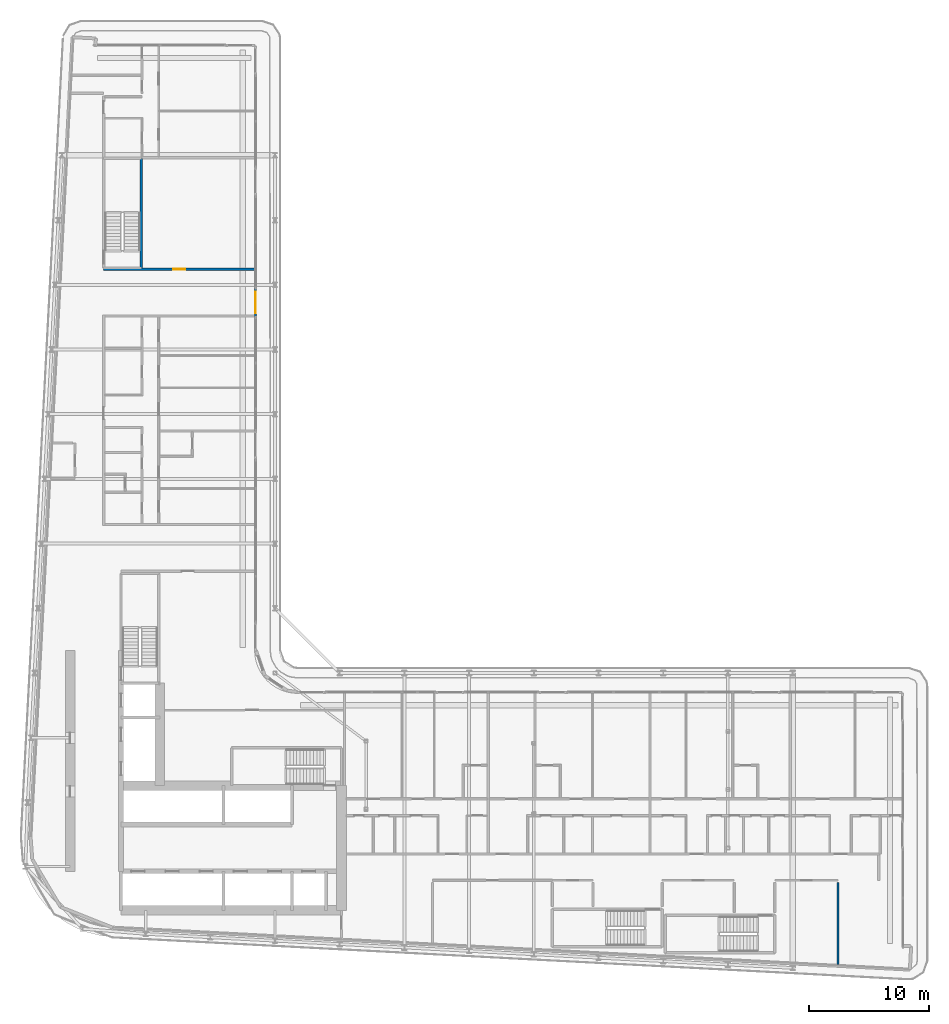
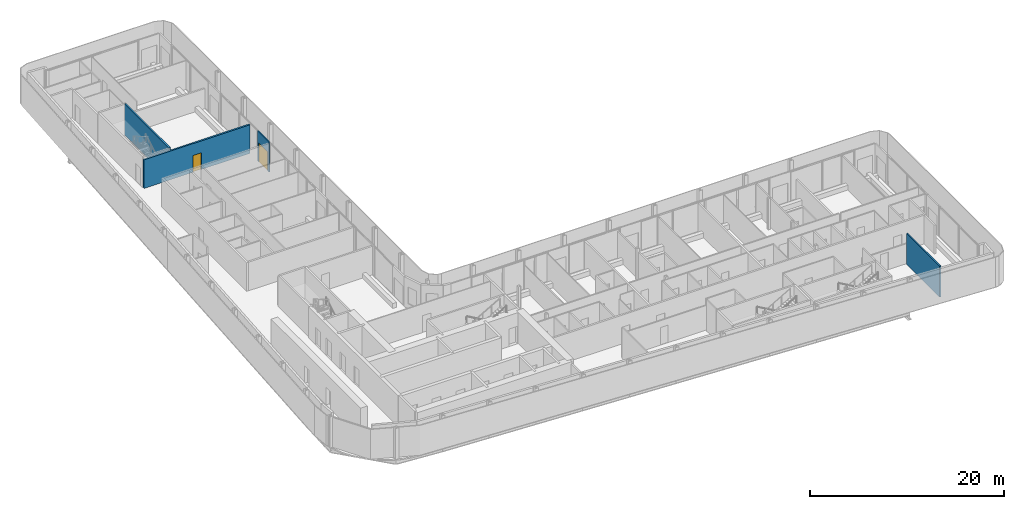
# One storey, part 19 of 29: 4 walls, 2 doors, 2 openings.
"""IFC4 building model written with IfcOpenShell, lengths in metres."""

from ifc_helpers import new_model, si_unit, direction, frame, frame_2d, origin, place, context, subcontext, project, spatial, rectangle, extrude, source, transform, mapped, material, layer, layer_set, type_object, element, fill, save


model = new_model("IFC4")

# Units and contexts
model_context = context("Model", 3, precision=1e-05, world=origin(), true_north=direction((0.0, 1.0)))
body_context = subcontext(model_context, "Body", "Model", "MODEL_VIEW")
ifc_project = project(units=[si_unit("LENGTHUNIT", "METRE"), si_unit("AREAUNIT", "SQUARE_METRE"), si_unit("VOLUMEUNIT", "CUBIC_METRE"), si_unit("PLANEANGLEUNIT", "RADIAN"), si_unit("MASSUNIT", "GRAM", prefix="KILO")], contexts=[model_context])

# Site, building, storey
site_placement = place(None, origin())
site = spatial("IfcSite", under=ifc_project, at=site_placement, CompositionType="ELEMENT")
building_placement = place(site_placement, origin())
building = spatial("IfcBuilding", under=site, at=building_placement, Name="Kheshtan School and Residences Tower", CompositionType="ELEMENT")
storey_placement = place(building_placement, frame((0.0, 0.0, 183.800048828125)))
storey = spatial("IfcBuildingStorey", under=building, at=storey_placement, Name="L43", CompositionType="ELEMENT", Elevation=183.800048828125)

# Wall, opening, door
ifc_material_1 = material(Name="Gypsum board on steel studs with fire boards", Category="steel")
ifc_layer_1 = layer(ifc_material_1, 0.199951171875)
ifc_layer_set_1 = layer_set([ifc_layer_1], Name="Corridor wall 200")
wall_type_1 = type_object("IfcWallType", Name="Corridor wall 200", PredefinedType="PARTITIONING", material=ifc_layer_set_1)
wall_1_placement = place(storey_placement, frame((33.300048828125, 79.300048828125, 0.0), z_axis=(0.0, 0.0, 1.0), x_axis=(1.0, 0.0, 0.0)))
wall_1 = element("IfcWall", 1, at=wall_1_placement, inside=storey, type_object=wall_type_1, Name="Partition L43-004", PredefinedType="PARTITIONING", context=body_context, shape_type="SweptSolid", body=[
    extrude(rectangle(XDim=12.599853515625, YDim=0.199951171875, at=frame_2d((6.2998046875, 0.0))), origin(), (0.0, 0.0, 1.0), 3.599853515625),
])
opening_1_placement = place(wall_1_placement, frame((5.794921875, 0.0, 0.0)))
opening_1 = element("IfcOpeningElement", 2, at=opening_1_placement, cuts=wall_1, Name="Opening D43-056", PredefinedType="OPENING", context=body_context, shape_type="SweptSolid", body=[
    extrude(rectangle(XDim=1.0, YDim=2.10009765625, at=frame_2d((0.5, 1.050048828125))), frame((0.0, 0.10986328125, 0.0), z_axis=(0.0, -1.0, 0.0), x_axis=(1.0, 0.0, 0.0)), (0.0, 0.0, 1.0), 0.219970703125),
])
ifc_material_2 = material(Name="Steel-framed fire-resisting door leaf", Category="steel")
door_type_1 = type_object("IfcDoorType", Name="Fire door FD60 1000 x 2100", OperationType="SINGLE_SWING_LEFT", PredefinedType="DOOR", material=ifc_material_2)
shared_shape_1 = source(origin(), body_context, "Body", "SweptSolid", [
    extrude(rectangle(XDim=1.0, YDim=2.10009765625, at=frame_2d((0.5, 1.050048828125))), frame((0.0, 0.02490234375, 0.0), z_axis=(0.0, -1.0, 0.0), x_axis=(1.0, 0.0, 0.0)), (0.0, 0.0, 1.0), 0.050048828125),
])
door_1_placement = place(opening_1_placement, origin())
door_1 = element("IfcDoor", 3, at=door_1_placement, inside=storey, type_object=door_type_1, Name="Door D43-056", OperationType="SINGLE_SWING_RIGHT", OverallHeight=2.10009765625, OverallWidth=1.0, PredefinedType="DOOR", context=body_context, shape_type="MappedRepresentation", body=[
    mapped(shared_shape_1, transform((0.0, 0.0, 0.0), x_axis=(1.0, 0.0, 0.0), y_axis=(0.0, 1.0, 0.0), z_axis=(0.0, 0.0, 1.0), scale=1.0)),
])
fill(opening_1, door_1)

ifc_material_3 = material(Name="Aluminium frame wall with insulated infill", Category="aluminium")
ifc_layer_2 = layer(ifc_material_3, 0.14990234375)
ifc_layer_set_2 = layer_set([ifc_layer_2], Name="Glazing frame wall 150")
wall_type_2 = type_object("IfcWallType", Name="Glazing frame wall 150", PredefinedType="SOLIDWALL", material=ifc_layer_set_2)
wall_2_placement = place(storey_placement, frame((45.97509765625, 77.7119140625, 0.0), z_axis=(0.0, 0.0, 1.0), x_axis=(0.0, -1.0, 0.0)))
wall_2 = element("IfcWall", 4, at=wall_2_placement, inside=storey, type_object=wall_type_2, Name="Balcony door wall L43 8.3", PredefinedType="SOLIDWALL", context=body_context, shape_type="SweptSolid", body=[
    extrude(rectangle(XDim=2.39990234375, YDim=0.14990234375, at=frame_2d((1.199951171875, 0.0))), origin(), (0.0, 0.0, 1.0), 3.75),
])
opening_2_placement = place(wall_2_placement, frame((0.300048828125, 0.0, 0.0)))
opening_2 = element("IfcOpeningElement", 5, at=opening_2_placement, cuts=wall_2, Name="Opening BD", PredefinedType="OPENING", context=body_context, shape_type="SweptSolid", body=[
    extrude(rectangle(XDim=1.800048828125, YDim=2.39990234375, at=frame_2d((0.89990234375, 1.199951171875))), frame((0.0, 0.0849609375, 0.0), z_axis=(0.0, -1.0, 0.0), x_axis=(1.0, 0.0, 0.0)), (0.0, 0.0, 1.0), 0.169921875),
])
ifc_material_4 = material(Name="Clear low-e glass in thermally broken aluminium frame", Category="aluminium")
door_type_2 = type_object("IfcDoorType", Name="Balcony sliding door", OperationType="SLIDING_TO_LEFT", PredefinedType="DOOR", material=ifc_material_4)
shared_shape_2 = source(origin(), body_context, "Body", "SweptSolid", [
    extrude(rectangle(XDim=1.800048828125, YDim=2.39990234375, at=frame_2d((0.89990234375, 1.199951171875))), frame((0.0, 0.02490234375, 0.0), z_axis=(0.0, -1.0, 0.0), x_axis=(1.0, 0.0, 0.0)), (0.0, 0.0, 1.0), 0.050048828125),
])
door_2_placement = place(opening_2_placement, origin())
door_2 = element("IfcDoor", 6, at=door_2_placement, inside=storey, type_object=door_type_2, Name="Balcony door L43 8.3", OperationType="SLIDING_TO_LEFT", OverallHeight=2.39990234375, OverallWidth=1.800048828125, PredefinedType="DOOR", context=body_context, shape_type="MappedRepresentation", body=[
    mapped(shared_shape_2, transform((0.0, 0.0, 0.0), x_axis=(1.0, 0.0, 0.0), y_axis=(0.0, 1.0, 0.0), z_axis=(0.0, 0.0, 1.0), scale=1.0)),
])
fill(opening_2, door_2)

# Walls
ifc_material_5 = material(Name="Fire-board shaft wall system")
ifc_layer_3 = layer(ifc_material_5, 0.14990234375)
ifc_layer_set_3 = layer_set([ifc_layer_3], Name="Service room wall 150")
wall_type_3 = type_object("IfcWallType", Name="Service room wall 150", PredefinedType="PARTITIONING", material=ifc_layer_set_3)
wall_3_placement = place(storey_placement, frame((94.5869140625, 21.29296875, 0.0), z_axis=(0.0, 0.0, 1.0), x_axis=(0.0, 1.0, 0.0)))
element("IfcWall", 7, at=wall_3_placement, inside=storey, type_object=wall_type_3, Name="Service room wall", PredefinedType="PARTITIONING", context=body_context, shape_type="SweptSolid", body=[
    extrude(rectangle(XDim=6.81201171875, YDim=0.14990234375, at=frame_2d((3.406005859375, 0.0))), origin(), (0.0, 0.0, 1.0), 3.89990234375),
])
ifc_material_6 = material(Name="Concrete C40/50", Category="concrete")
ifc_layer_4 = layer(ifc_material_6, 0.199951171875)
ifc_layer_set_4 = layer_set([ifc_layer_4], Name="Stair enclosure wall 200 Concrete C40/50")
wall_type_4 = type_object("IfcWallType", Name="Stair enclosure wall 200 Concrete C40/50", PredefinedType="SHEAR", material=ifc_layer_set_4)
wall_4_placement = place(storey_placement, frame((36.449951171875, 79.39990234375, 0.0), z_axis=(0.0, 0.0, 1.0), x_axis=(0.0, 1.0, 0.0)))
element("IfcWall", 8, at=wall_4_placement, inside=storey, type_object=wall_type_4, Name="Stair enclosure wall ST3", PredefinedType="SHEAR", context=body_context, shape_type="SweptSolid", body=[
    extrude(rectangle(XDim=9.16015625, YDim=0.199951171875, at=frame_2d((4.580078125, 0.0))), origin(), (0.0, 0.0, 1.0), 3.89990234375),
])

save(model, "model.ifc")
